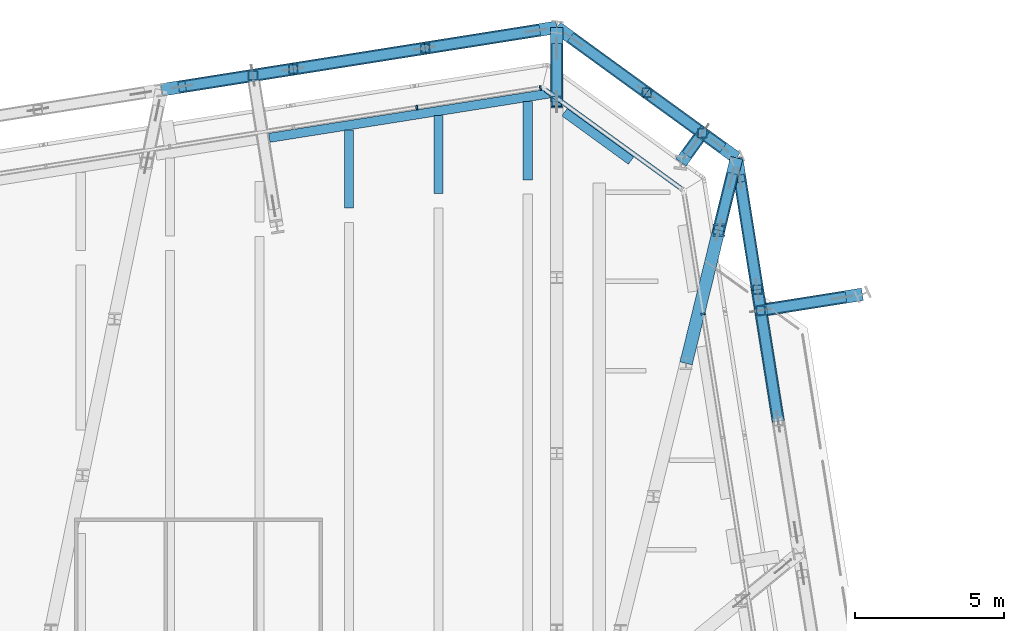
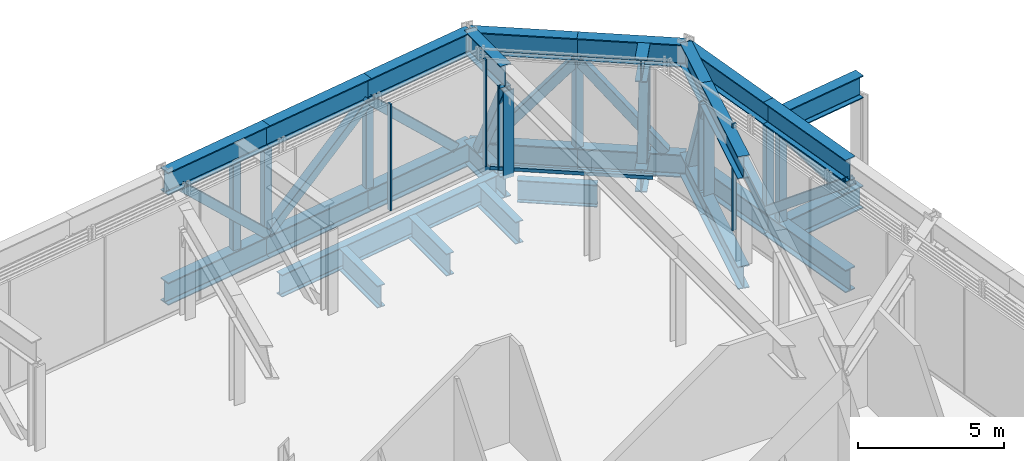
# One storey, part 19 of 35: 29 beams, 24 members, 3 elements without a shape of their own.
"""IFC4 building model written with IfcOpenShell, lengths in metres."""

from ifc_helpers import new_model, si_unit, direction, frame, origin, origin_2d, place, context, subcontext, project, spatial, rectangle, hollow_rectangle, i_section, extrude, material, layer, layer_set, material_profile, profile_set, type_object, element, aggregate, save


model = new_model("IFC4")

# Units and contexts
model_context = context("Model", 3, precision=1e-05, world=origin(), true_north=direction((0.0, 1.0)))
body_context = subcontext(model_context, "Body", "Model", "MODEL_VIEW")
ifc_project = project(units=[si_unit("LENGTHUNIT", "METRE"), si_unit("AREAUNIT", "SQUARE_METRE"), si_unit("VOLUMEUNIT", "CUBIC_METRE"), si_unit("PLANEANGLEUNIT", "RADIAN"), si_unit("MASSUNIT", "GRAM", prefix="KILO")], contexts=[model_context])

# Site, building, storey
site_placement = place(None, origin())
site = spatial("IfcSite", under=ifc_project, at=site_placement, CompositionType="ELEMENT")
building_placement = place(site_placement, origin())
building = spatial("IfcBuilding", under=site, at=building_placement, Name="Millrace Tower", CompositionType="ELEMENT")
storey_placement = place(building_placement, frame((0.0, 0.0, 200.10009765625)))
storey = spatial("IfcBuildingStorey", under=building, at=storey_placement, Name="L45", CompositionType="ELEMENT", Elevation=200.10009765625)

# Curtain wall, member
ifc_material_1 = material(Name="Aluminium and glass", Category="aluminium")
ifc_layer = layer(ifc_material_1, 0.14990234375)
ifc_layer_set = layer_set([ifc_layer], Name="Aluminium and glass")
curtain_wall_type = type_object("IfcCurtainWallType", Name="CW-5 truss and plant storey louvred infill", PredefinedType="NOTDEFINED", material=ifc_layer_set)
placement = place(storey_placement, origin())
curtain_wall_1 = element("IfcCurtainWall", 1, at=placement, inside=storey, type_object=curtain_wall_type, Name="Curtain wall D-F04 L45", PredefinedType="NOTDEFINED")
ifc_material_2 = material(Name="Aluminium", Category="aluminium")
ifc_material_profile_1 = material_profile(ifc_material_2, rectangle(XDim=0.06494140625, YDim=0.14990234375, at=origin_2d()))
ifc_profile_set_1 = profile_set([ifc_material_profile_1], Name="Aluminium")
member_type_1 = type_object("IfcMemberType", Name="CW-5 truss and plant storey louvred infill mullion", PredefinedType="MULLION", material=ifc_profile_set_1)
member_1_placement = place(storey_placement, frame((17.88623046875, 22.910888671875, 0.139892578125), z_axis=(0.0, 0.0, 1.0), x_axis=(-0.156434471884, 0.987688339511, 0.0)))
member_1 = element("IfcMember", 2, at=member_1_placement, type_object=member_type_1, Name="CW5 mullion D-F04.9", PredefinedType="MULLION", context=body_context, shape_type="SweptSolid", body=[
    extrude(rectangle(XDim=0.06494140625, YDim=0.14990234375, at=origin_2d()), origin(), (0.0, 0.0, 1.0), 4.4599609375),
])
aggregate(curtain_wall_1, [member_1])

# Curtain wall, members
curtain_wall_2 = element("IfcCurtainWall", 3, at=placement, inside=storey, type_object=curtain_wall_type, Name="Curtain wall D-F06 L45", PredefinedType="NOTDEFINED")
member_2_placement = place(storey_placement, frame((12.425537109375, 30.492431640625, 0.139892578125), z_axis=(0.0, 0.0, 1.0), x_axis=(-0.987688339511, -0.156434471884, 0.0)))
member_2 = element("IfcMember", 4, at=member_2_placement, type_object=member_type_1, Name="CW5 mullion D-F06.1", PredefinedType="MULLION", context=body_context, shape_type="SweptSolid", body=[
    extrude(rectangle(XDim=0.06494140625, YDim=0.14990234375, at=origin_2d()), origin(), (0.0, 0.0, 1.0), 4.4599609375),
])
member_3_placement = place(storey_placement, frame((8.277099609375, 29.83544921875, 0.139892578125), z_axis=(0.0, 0.0, 1.0), x_axis=(-0.987688339511, -0.156434471884, 0.0)))
member_3 = element("IfcMember", 5, at=member_3_placement, type_object=member_type_1, Name="CW5 mullion D-F06.2", PredefinedType="MULLION", context=body_context, shape_type="SweptSolid", body=[
    extrude(rectangle(XDim=0.06494140625, YDim=0.14990234375, at=origin_2d()), origin(), (0.0, 0.0, 1.0), 4.4599609375),
])
aggregate(curtain_wall_2, [member_2, member_3])

# Curtain wall, member
curtain_wall_3 = element("IfcCurtainWall", 6, at=placement, inside=storey, type_object=curtain_wall_type, Name="Curtain wall D-F05 L45", PredefinedType="NOTDEFINED")
ifc_material_3 = material(Name="Aluminium", Category="aluminium")
ifc_material_profile_2 = material_profile(ifc_material_3, rectangle(XDim=0.14990234375, YDim=0.139892578125, at=origin_2d()))
ifc_profile_set_2 = profile_set([ifc_material_profile_2], Name="Aluminium")
member_type_2 = type_object("IfcMemberType", Name="CW-5 truss and plant storey louvred infill transom", PredefinedType="USERDEFINED", material=ifc_profile_set_2)
member_4_placement = place(storey_placement, frame((17.123291015625, 27.134765625, 0.06982421875), z_axis=(-0.809018869857, 0.587782670904, 0.0), x_axis=(-0.587782670904, -0.809018869857, 0.0)))
member_4 = element("IfcMember", 7, at=member_4_placement, type_object=member_type_2, Name="CW5 transom D-F05.1", ObjectType="TRANSOM", PredefinedType="USERDEFINED", context=body_context, shape_type="SweptSolid", body=[
    extrude(rectangle(XDim=0.14990234375, YDim=0.139892578125, at=origin_2d()), origin(), (0.0, 0.0, 1.0), 5.59814453125),
])
aggregate(curtain_wall_3, [member_4])

# Beams
ifc_material_4 = material(Name="Steel ASTM A992 Grade 50", Category="steel")
ifc_material_profile_3 = material_profile(ifc_material_4, i_section(OverallWidth=0.307373046875, OverallDepth=0.927001953125, WebThickness=0.01953125, FlangeThickness=0.031982421875, FilletRadius=0.01904296875, at=origin_2d()))
ifc_profile_set_3 = profile_set([ifc_material_profile_3], Name="Steel ASTM A992 Grade 50")
beam_type_1 = type_object("IfcBeamType", Name="Floor beam W36x194", PredefinedType="JOIST", material=ifc_profile_set_3)
beam_1_placement = place(storey_placement, frame((9.0, 26.94677734375, -0.62353515625), z_axis=(0.0, 1.0, 0.0), x_axis=(-1.0, 0.0, 0.0)))
element("IfcBeam", 8, at=beam_1_placement, inside=storey, type_object=beam_type_1, Name="BM-D-L45-S1-S050-b", PredefinedType="JOIST", context=body_context, shape_type="SweptSolid", body=[
    extrude(i_section(OverallWidth=0.307373046875, OverallDepth=0.927001953125, WebThickness=0.01953125, FlangeThickness=0.031982421875, FilletRadius=0.01904296875, at=origin_2d()), origin(), (0.0, 0.0, 1.0), 2.615966796875),
])
beam_2_placement = place(storey_placement, frame((12.0, 27.406005859375, -0.62353515625), z_axis=(0.0, 1.0, 0.0), x_axis=(-1.0, 0.0, 0.0)))
element("IfcBeam", 9, at=beam_2_placement, inside=storey, type_object=beam_type_1, Name="BM-D-L45-S1-S052-b", PredefinedType="JOIST", context=body_context, shape_type="SweptSolid", body=[
    extrude(i_section(OverallWidth=0.307373046875, OverallDepth=0.927001953125, WebThickness=0.01953125, FlangeThickness=0.031982421875, FilletRadius=0.01904296875, at=origin_2d()), origin(), (0.0, 0.0, 1.0), 2.6318359375),
])
beam_3_placement = place(storey_placement, frame((6.0, 26.4716796875, -0.62353515625), z_axis=(0.0, 1.0, 0.0), x_axis=(-1.0, 0.0, 0.0)))
element("IfcBeam", 10, at=beam_3_placement, inside=storey, type_object=beam_type_1, Name="BM-D-L45-S1-S048-b", PredefinedType="JOIST", context=body_context, shape_type="SweptSolid", body=[
    extrude(i_section(OverallWidth=0.307373046875, OverallDepth=0.927001953125, WebThickness=0.01953125, FlangeThickness=0.031982421875, FilletRadius=0.01904296875, at=origin_2d()), origin(), (0.0, 0.0, 1.0), 2.615966796875),
])
ifc_material_5 = material(Name="Steel ASTM A992 Grade 50", Category="steel")
ifc_material_profile_4 = material_profile(ifc_material_5, i_section(OverallWidth=0.307373046875, OverallDepth=0.927001953125, WebThickness=0.01953125, FlangeThickness=0.031982421875, FilletRadius=0.01904296875, at=origin_2d()))
ifc_profile_set_4 = profile_set([ifc_material_profile_4], Name="Steel ASTM A992 Grade 50")
beam_type_2 = type_object("IfcBeamType", Name="Ring beam short span W36x194", PredefinedType="SPANDREL", material=ifc_profile_set_4)
beam_4_placement = place(storey_placement, frame((3.32666015625, 28.81982421875, -0.62353515625), z_axis=(0.987689704483, 0.156425853548, 0.0), x_axis=(-0.156425853548, 0.987689704483, 0.0)))
element("IfcBeam", 11, at=beam_4_placement, inside=storey, type_object=beam_type_2, Name="RNG-D-L45-S1-07-b", PredefinedType="SPANDREL", context=body_context, shape_type="SweptSolid", body=[
    extrude(i_section(OverallWidth=0.307373046875, OverallDepth=0.927001953125, WebThickness=0.01953125, FlangeThickness=0.031982421875, FilletRadius=0.01904296875, at=origin_2d()), origin(), (0.0, 0.0, 1.0), 9.525146484375),
])
beam_5_placement = place(storey_placement, frame((13.232177734375, 29.679443359375, -0.62353515625), z_axis=(0.808999786212, -0.587808936567, 0.0), x_axis=(0.587808936567, 0.808999786212, 0.0)))
element("IfcBeam", 12, at=beam_5_placement, inside=storey, type_object=beam_type_2, Name="RNG-D-L45-S1-08", PredefinedType="SPANDREL", context=body_context, shape_type="SweptSolid", body=[
    extrude(i_section(OverallWidth=0.307373046875, OverallDepth=0.927001953125, WebThickness=0.01953125, FlangeThickness=0.031982421875, FilletRadius=0.01904296875, at=origin_2d()), origin(), (0.0, 0.0, 1.0), 2.761474609375),
])

# Members
ifc_material_6 = material(Name="Steel ASTM A992 Grade 50", Category="steel")
ifc_material_profile_5 = material_profile(ifc_material_6, i_section(OverallWidth=0.40380859375, OverallDepth=0.406494140625, WebThickness=0.027099609375, FlangeThickness=0.043701171875, FilletRadius=0.01513671875, at=origin_2d()))
ifc_profile_set_5 = profile_set([ifc_material_profile_5], Name="Steel ASTM A992 Grade 50")
member_type_3 = type_object("IfcMemberType", Name="Transfer truss Vierendeel moment post W14x233", PredefinedType="POST", material=ifc_profile_set_5)
for number, where, z_axis, x_axis, name in (
    (13, (18.409423828125, 25.718505859375, -0.16015625), (0.0, 0.0, 1.0), (1.0, 0.0, 0.0), "TRS-L45-C09-V01"),
    (14, (12.974609375, 30.0283203125, -0.16015625), (0.0, 0.0, 1.0), (1.0, 0.0, 0.0), "TRS-L45-C10-V01"),
):
    element("IfcMember", number, at=place(storey_placement, frame(where, z_axis=z_axis, x_axis=x_axis)), inside=storey, type_object=member_type_3, Name=name, PredefinedType="POST", context=body_context, shape_type="SweptSolid", body=[
        extrude(i_section(OverallWidth=0.40380859375, OverallDepth=0.406494140625, WebThickness=0.027099609375, FlangeThickness=0.043701171875, FilletRadius=0.01513671875, at=origin_2d()), origin(), (0.0, 0.0, 1.0), 3.652587890625),
    ])

# Beams
ifc_material_7 = material(Name="Steel ASTM A992 Grade 50", Category="steel")
ifc_material_profile_6 = material_profile(ifc_material_7, i_section(OverallWidth=0.424072265625, OverallDepth=0.947509765625, WebThickness=0.02392578125, FlangeThickness=0.042724609375, FilletRadius=0.024169921875, at=origin_2d()))
ifc_profile_set_6 = profile_set([ifc_material_profile_6], Name="Steel ASTM A992 Grade 50")
beam_type_3 = type_object("IfcBeamType", Name="Transfer truss chord W36x302", PredefinedType="BEAM", material=ifc_profile_set_6)
for number, where, z_axis, x_axis, name in (
    (15, (20.406494140625, 19.304443359375, -0.6337890625), (-0.156433111103, 0.987688555037, 0.0), (-0.987688555037, -0.156433111103, 0.0), "TRS-L45-R08-B02"),
    (16, (20.406494140625, 19.304443359375, 3.96630859375), (-0.156433111103, 0.987688555037, 0.0), (-0.987688555037, -0.156433111103, 0.0), "TRS-L45-R08-T02"),
):
    element("IfcBeam", number, at=place(storey_placement, frame(where, z_axis=z_axis, x_axis=x_axis)), inside=storey, type_object=beam_type_3, Name=name, PredefinedType="BEAM", context=body_context, shape_type="SweptSolid", body=[
        extrude(i_section(OverallWidth=0.424072265625, OverallDepth=0.947509765625, WebThickness=0.02392578125, FlangeThickness=0.042724609375, FilletRadius=0.024169921875, at=origin_2d()), origin(), (0.0, 0.0, 1.0), 4.47607421875),
    ])
for number, where, z_axis, x_axis, name in (
    (17, (19.706298828125, 23.725341796875, -0.6337890625), (-0.156424684061, 0.9876898897, 0.0), (-0.9876898897, -0.156424684061, 0.0), "TRS-L45-R08-B03"),
    (18, (19.706298828125, 23.725341796875, 3.96630859375), (-0.156424684061, 0.9876898897, 0.0), (-0.9876898897, -0.156424684061, 0.0), "TRS-L45-R08-T03"),
):
    element("IfcBeam", number, at=place(storey_placement, frame(where, z_axis=z_axis, x_axis=x_axis)), inside=storey, type_object=beam_type_3, Name=name, PredefinedType="BEAM", context=body_context, shape_type="SweptSolid", body=[
        extrude(i_section(OverallWidth=0.424072265625, OverallDepth=0.947509765625, WebThickness=0.02392578125, FlangeThickness=0.042724609375, FilletRadius=0.024169921875, at=origin_2d()), origin(), (0.0, 0.0, 1.0), 4.476318359375),
    ])
for number, where, z_axis, x_axis, name in (
    (19, (19.006103515625, 28.146484375, -0.6337890625), (-0.809047509932, 0.587743248938, 0.0), (-0.587743248938, -0.809047509932, 0.0), "TRS-L45-R09-B01"),
    (20, (19.006103515625, 28.146484375, 3.96630859375), (-0.809047509932, 0.587743248938, 0.0), (-0.587743248938, -0.809047509932, 0.0), "TRS-L45-R09-T01"),
):
    element("IfcBeam", number, at=place(storey_placement, frame(where, z_axis=z_axis, x_axis=x_axis)), inside=storey, type_object=beam_type_3, Name=name, PredefinedType="BEAM", context=body_context, shape_type="SweptSolid", body=[
        extrude(i_section(OverallWidth=0.424072265625, OverallDepth=0.947509765625, WebThickness=0.02392578125, FlangeThickness=0.042724609375, FilletRadius=0.024169921875, at=origin_2d()), origin(), (0.0, 0.0, 1.0), 3.727783203125),
    ])
for number, where, z_axis, x_axis, name in (
    (21, (15.990234375, 30.33740234375, -0.6337890625), (-0.809024883744, 0.587774393355, 0.0), (-0.587774393355, -0.809024883744, 0.0), "TRS-L45-R09-B02"),
    (22, (15.990234375, 30.33740234375, 3.96630859375), (-0.809024883744, 0.587774393355, 0.0), (-0.587774393355, -0.809024883744, 0.0), "TRS-L45-R09-T02"),
):
    element("IfcBeam", number, at=place(storey_placement, frame(where, z_axis=z_axis, x_axis=x_axis)), inside=storey, type_object=beam_type_3, Name=name, PredefinedType="BEAM", context=body_context, shape_type="SweptSolid", body=[
        extrude(i_section(OverallWidth=0.424072265625, OverallDepth=0.947509765625, WebThickness=0.02392578125, FlangeThickness=0.042724609375, FilletRadius=0.024169921875, at=origin_2d()), origin(), (0.0, 0.0, 1.0), 3.7275390625),
    ])
for number, where, z_axis, x_axis, name in (
    (23, (12.974609375, 32.5283203125, -0.6337890625), (-0.987688555037, -0.156433111103, 0.0), (0.156433111103, -0.987688555037, 0.0), "TRS-L45-R10-B01"),
    (24, (12.974609375, 32.5283203125, 3.96630859375), (-0.987688555037, -0.156433111103, 0.0), (0.156433111103, -0.987688555037, 0.0), "TRS-L45-R10-T01"),
):
    element("IfcBeam", number, at=place(storey_placement, frame(where, z_axis=z_axis, x_axis=x_axis)), inside=storey, type_object=beam_type_3, Name=name, PredefinedType="BEAM", context=body_context, shape_type="SweptSolid", body=[
        extrude(i_section(OverallWidth=0.424072265625, OverallDepth=0.947509765625, WebThickness=0.02392578125, FlangeThickness=0.042724609375, FilletRadius=0.024169921875, at=origin_2d()), origin(), (0.0, 0.0, 1.0), 4.47607421875),
    ])
for number, where, z_axis, x_axis, name in (
    (25, (8.5537109375, 31.828125, -0.6337890625), (-0.9876898897, -0.156424684061, 0.0), (0.156424684061, -0.9876898897, 0.0), "TRS-L45-R10-B02"),
    (26, (8.5537109375, 31.828125, 3.96630859375), (-0.9876898897, -0.156424684061, 0.0), (0.156424684061, -0.9876898897, 0.0), "TRS-L45-R10-T02"),
):
    element("IfcBeam", number, at=place(storey_placement, frame(where, z_axis=z_axis, x_axis=x_axis)), inside=storey, type_object=beam_type_3, Name=name, PredefinedType="BEAM", context=body_context, shape_type="SweptSolid", body=[
        extrude(i_section(OverallWidth=0.424072265625, OverallDepth=0.947509765625, WebThickness=0.02392578125, FlangeThickness=0.042724609375, FilletRadius=0.024169921875, at=origin_2d()), origin(), (0.0, 0.0, 1.0), 4.476318359375),
    ])
for number, where, z_axis, x_axis, name in (
    (27, (4.132568359375, 31.1279296875, -0.6337890625), (-0.987688555037, -0.156433111103, 0.0), (0.156433111103, -0.987688555037, 0.0), "TRS-L45-R10-B03"),
    (28, (4.132568359375, 31.1279296875, 3.96630859375), (-0.987688555037, -0.156433111103, 0.0), (0.156433111103, -0.987688555037, 0.0), "TRS-L45-R10-T03"),
):
    element("IfcBeam", number, at=place(storey_placement, frame(where, z_axis=z_axis, x_axis=x_axis)), inside=storey, type_object=beam_type_3, Name=name, PredefinedType="BEAM", context=body_context, shape_type="SweptSolid", body=[
        extrude(i_section(OverallWidth=0.424072265625, OverallDepth=0.947509765625, WebThickness=0.02392578125, FlangeThickness=0.042724609375, FilletRadius=0.024169921875, at=origin_2d()), origin(), (0.0, 0.0, 1.0), 4.47607421875),
    ])
for number, where, z_axis, x_axis, name in (
    (29, (19.006103515625, 28.146484375, -0.6337890625), (-0.238650753972, -0.971105461641, 0.0), (0.971105461641, -0.238650753972, 0.0), "TRS-L45-C09-B01"),
    (30, (19.006103515625, 28.146484375, 3.96630859375), (-0.238650753972, -0.971105461641, 0.0), (0.971105461641, -0.238650753972, 0.0), "TRS-L45-C09-T01"),
):
    element("IfcBeam", number, at=place(storey_placement, frame(where, z_axis=z_axis, x_axis=x_axis)), inside=storey, type_object=beam_type_3, Name=name, PredefinedType="BEAM", context=body_context, shape_type="SweptSolid", body=[
        extrude(i_section(OverallWidth=0.424072265625, OverallDepth=0.947509765625, WebThickness=0.02392578125, FlangeThickness=0.042724609375, FilletRadius=0.024169921875, at=origin_2d()), origin(), (0.0, 0.0, 1.0), 2.500244140625),
    ])
for number, where, z_axis, x_axis, name in (
    (31, (18.409423828125, 25.718505859375, -0.6337890625), (-0.238574790884, -0.971124126543, 0.0), (0.971124126543, -0.238574790884, 0.0), "TRS-L45-C09-B02"),
    (32, (18.409423828125, 25.718505859375, 3.96630859375), (-0.238574790884, -0.971124126543, 0.0), (0.971124126543, -0.238574790884, 0.0), "TRS-L45-C09-T02"),
):
    element("IfcBeam", number, at=place(storey_placement, frame(where, z_axis=z_axis, x_axis=x_axis)), inside=storey, type_object=beam_type_3, Name=name, PredefinedType="BEAM", context=body_context, shape_type="SweptSolid", body=[
        extrude(i_section(OverallWidth=0.424072265625, OverallDepth=0.947509765625, WebThickness=0.02392578125, FlangeThickness=0.042724609375, FilletRadius=0.024169921875, at=origin_2d()), origin(), (0.0, 0.0, 1.0), 4.599853515625),
    ])
for number, where, z_axis, x_axis, name in (
    (33, (12.974609375, 32.5283203125, -0.6337890625), (0.0, -1.0, 0.0), (1.0, 0.0, 0.0), "TRS-L45-C10-B01"),
    (34, (12.974609375, 32.5283203125, 3.96630859375), (0.0, -1.0, 0.0), (1.0, 0.0, 0.0), "TRS-L45-C10-T01"),
):
    element("IfcBeam", number, at=place(storey_placement, frame(where, z_axis=z_axis, x_axis=x_axis)), inside=storey, type_object=beam_type_3, Name=name, PredefinedType="BEAM", context=body_context, shape_type="SweptSolid", body=[
        extrude(i_section(OverallWidth=0.424072265625, OverallDepth=0.947509765625, WebThickness=0.02392578125, FlangeThickness=0.042724609375, FilletRadius=0.024169921875, at=origin_2d()), origin(), (0.0, 0.0, 1.0), 2.5),
    ])
for number, where, z_axis, x_axis, name in (
    (35, (23.2294921875, 23.569091796875, -0.6337890625), (-0.987690227507, -0.156422551083, 0.0), (0.156422551083, -0.987690227507, 0.0), "TRS-L45-B-C-X09-B01"),
    (36, (23.2294921875, 23.569091796875, 3.96630859375), (-0.987690227507, -0.156422551083, 0.0), (0.156422551083, -0.987690227507, 0.0), "TRS-L45-B-C-X09-T01"),
):
    element("IfcBeam", number, at=place(storey_placement, frame(where, z_axis=z_axis, x_axis=x_axis)), inside=storey, type_object=beam_type_3, Name=name, PredefinedType="BEAM", context=body_context, shape_type="SweptSolid", body=[
        extrude(i_section(OverallWidth=0.424072265625, OverallDepth=0.947509765625, WebThickness=0.02392578125, FlangeThickness=0.042724609375, FilletRadius=0.024169921875, at=origin_2d()), origin(), (0.0, 0.0, 1.0), 3.243408203125),
    ])
for number, where, z_axis, x_axis, name in (
    (37, (17.140869140625, 27.99267578125, -0.6337890625), (0.587768595281, 0.80902909614, 0.0), (-0.80902909614, 0.587768595281, 0.0), "TRS-L45-B-C-X10-B01"),
    (38, (17.140869140625, 27.99267578125, 3.96630859375), (0.587768595281, 0.80902909614, 0.0), (-0.80902909614, 0.587768595281, 0.0), "TRS-L45-B-C-X10-T01"),
):
    element("IfcBeam", number, at=place(storey_placement, frame(where, z_axis=z_axis, x_axis=x_axis)), inside=storey, type_object=beam_type_3, Name=name, PredefinedType="BEAM", context=body_context, shape_type="SweptSolid", body=[
        extrude(i_section(OverallWidth=0.424072265625, OverallDepth=0.947509765625, WebThickness=0.02392578125, FlangeThickness=0.042724609375, FilletRadius=0.024169921875, at=origin_2d()), origin(), (0.0, 0.0, 1.0), 1.008544921875),
    ])

# Members
ifc_material_8 = material(Name="Steel ASTM A500 Grade C", Category="steel")
ifc_material_profile_7 = material_profile(ifc_material_8, hollow_rectangle(XDim=0.355712890625, YDim=0.355712890625, WallThickness=0.015869140625, InnerFilletRadius=0.008056640625, OuterFilletRadius=0.02392578125, at=origin_2d()))
ifc_profile_set_7 = profile_set([ifc_material_profile_7], Name="Steel ASTM A500 Grade C")
member_type_4 = type_object("IfcMemberType", Name="Transfer truss diagonal HSS14x14x5/8", PredefinedType="BRACE", material=ifc_profile_set_7)
member_5_placement = place(storey_placement, frame((19.706298828125, 23.725341796875, -0.16015625), z_axis=(0.121199815738, -0.765232309408, 0.632242135026), x_axis=(0.987688555037, 0.156433111103, 0.0)))
element("IfcMember", 39, at=member_5_placement, inside=storey, type_object=member_type_4, Name="TRS-L45-R08-D02", PredefinedType="BRACE", context=body_context, shape_type="SweptSolid", body=[
    extrude(hollow_rectangle(XDim=0.355712890625, YDim=0.355712890625, WallThickness=0.015869140625, InnerFilletRadius=0.008056640625, OuterFilletRadius=0.02392578125, at=origin_2d()), origin(), (0.0, 0.0, 1.0), 5.777099609375),
])
member_6_placement = place(storey_placement, frame((19.706298828125, 23.725341796875, -0.16015625), z_axis=(-0.112457872298, 0.70992517153, 0.695240589858), x_axis=(-0.987684735163, -0.156457227145, 0.0)))
element("IfcMember", 40, at=member_6_placement, inside=storey, type_object=member_type_4, Name="TRS-L45-R08-D03", PredefinedType="BRACE", context=body_context, shape_type="SweptSolid", body=[
    extrude(hollow_rectangle(XDim=0.355712890625, YDim=0.355712890625, WallThickness=0.015869140625, InnerFilletRadius=0.008056640625, OuterFilletRadius=0.02392578125, at=origin_2d()), origin(), (0.0, 0.0, 1.0), 5.253662109375),
])
member_7_placement = place(storey_placement, frame((18.439697265625, 28.557861328125, -0.16015625), z_axis=(-0.516299961764, 0.375093234456, 0.76989571693), x_axis=(-0.587764078554, -0.809032377573, 0.0)))
element("IfcMember", 41, at=member_7_placement, inside=storey, type_object=member_type_4, Name="TRS-L45-R09-D01", PredefinedType="BRACE", context=body_context, shape_type="SweptSolid", body=[
    extrude(hollow_rectangle(XDim=0.355712890625, YDim=0.355712890625, WallThickness=0.015869140625, InnerFilletRadius=0.008056640625, OuterFilletRadius=0.02392578125, at=origin_2d()), origin(), (0.0, 0.0, 1.0), 4.744384765625),
])
member_8_placement = place(storey_placement, frame((13.541015625, 32.116943359375, -0.16015625), z_axis=(0.516262217598, -0.375103200167, 0.769916171999), x_axis=(0.58780242498, 0.809004517409, 0.0)))
element("IfcMember", 42, at=member_8_placement, inside=storey, type_object=member_type_4, Name="TRS-L45-R09-D02", PredefinedType="BRACE", context=body_context, shape_type="SweptSolid", body=[
    extrude(hollow_rectangle(XDim=0.355712890625, YDim=0.355712890625, WallThickness=0.015869140625, InnerFilletRadius=0.008056640625, OuterFilletRadius=0.02392578125, at=origin_2d()), origin(), (0.0, 0.0, 1.0), 4.744140625),
])
member_9_placement = place(storey_placement, frame((12.283203125, 32.4189453125, -0.16015625), z_axis=(-0.709902120882, -0.112461582386, 0.695263526481), x_axis=(0.156467218436, -0.98768315241, 0.0)))
element("IfcMember", 43, at=member_9_placement, inside=storey, type_object=member_type_4, Name="TRS-L45-R10-D01", PredefinedType="BRACE", context=body_context, shape_type="SweptSolid", body=[
    extrude(hollow_rectangle(XDim=0.355712890625, YDim=0.355712890625, WallThickness=0.015869140625, InnerFilletRadius=0.008056640625, OuterFilletRadius=0.02392578125, at=origin_2d()), origin(), (0.0, 0.0, 1.0), 5.25341796875),
])
member_10_placement = place(storey_placement, frame((4.132568359375, 31.1279296875, -0.16015625), z_axis=(0.765249821658, 0.121195896434, 0.632221689868), x_axis=(-0.156424684061, 0.9876898897, 0.0)))
element("IfcMember", 44, at=member_10_placement, inside=storey, type_object=member_type_4, Name="TRS-L45-R10-D02", PredefinedType="BRACE", context=body_context, shape_type="SweptSolid", body=[
    extrude(hollow_rectangle(XDim=0.355712890625, YDim=0.355712890625, WallThickness=0.015869140625, InnerFilletRadius=0.008056640625, OuterFilletRadius=0.02392578125, at=origin_2d()), origin(), (0.0, 0.0, 1.0), 5.77734375),
])
member_11_placement = place(storey_placement, frame((4.132568359375, 31.1279296875, -0.16015625), z_axis=(-0.709905830295, -0.112415698055, 0.695267159403), x_axis=(0.156404144508, -0.987693142419, 0.0)))
element("IfcMember", 45, at=member_11_placement, inside=storey, type_object=member_type_4, Name="TRS-L45-R10-D03", PredefinedType="BRACE", context=body_context, shape_type="SweptSolid", body=[
    extrude(hollow_rectangle(XDim=0.355712890625, YDim=0.355712890625, WallThickness=0.015869140625, InnerFilletRadius=0.008056640625, OuterFilletRadius=0.02392578125, at=origin_2d()), origin(), (0.0, 0.0, 1.0), 5.25341796875),
])
for number, where, z_axis, x_axis, name in (
    (46, (18.8388671875, 27.466552734375, -0.16015625), (-0.105461548534, -0.429280663731, 0.896992738838), (0.971123743553, -0.238576349848, 0.0), "TRS-L45-C09-D01"),
    (47, (12.974609375, 31.828369140625, -0.16015625), (0.0, -0.442050013477, 0.896990404399), (1.0, 0.0, 0.0), "TRS-L45-C10-D01"),
):
    element("IfcMember", number, at=place(storey_placement, frame(where, z_axis=z_axis, x_axis=x_axis)), inside=storey, type_object=member_type_4, Name=name, PredefinedType="BRACE", context=body_context, shape_type="SweptSolid", body=[
        extrude(hollow_rectangle(XDim=0.355712890625, YDim=0.355712890625, WallThickness=0.015869140625, InnerFilletRadius=0.008056640625, OuterFilletRadius=0.02392578125, at=origin_2d()), origin(), (0.0, 0.0, 1.0), 4.072021484375),
    ])
member_12_placement = place(storey_placement, frame((22.5380859375, 23.45947265625, -0.16015625), z_axis=(-0.594811410838, -0.094181586089, 0.798329013865), x_axis=(0.156390264253, -0.987695340298, 0.0)))
element("IfcMember", 48, at=member_12_placement, inside=storey, type_object=member_type_4, Name="TRS-L45-B-C-X09-D01", PredefinedType="BRACE", context=body_context, shape_type="SweptSolid", body=[
    extrude(hollow_rectangle(XDim=0.355712890625, YDim=0.355712890625, WallThickness=0.015869140625, InnerFilletRadius=0.008056640625, OuterFilletRadius=0.02392578125, at=origin_2d()), origin(), (0.0, 0.0, 1.0), 4.5751953125),
])
member_13_placement = place(storey_placement, frame((17.427978515625, 28.3876953125, -0.16015625), z_axis=(0.11554012299, 0.159056085363, 0.980485411257), x_axis=(-0.809067515006, 0.587715710324, 0.0)))
element("IfcMember", 49, at=member_13_placement, inside=storey, type_object=member_type_4, Name="TRS-L45-B-C-X10-D01", PredefinedType="BRACE", context=body_context, shape_type="SweptSolid", body=[
    extrude(hollow_rectangle(XDim=0.355712890625, YDim=0.355712890625, WallThickness=0.015869140625, InnerFilletRadius=0.008056640625, OuterFilletRadius=0.02392578125, at=origin_2d()), origin(), (0.0, 0.0, 1.0), 3.725341796875),
])
ifc_material_9 = material(Name="Steel ASTM A500 Grade C", Category="steel")
ifc_material_profile_8 = material_profile(ifc_material_9, hollow_rectangle(XDim=0.3046875, YDim=0.3046875, WallThickness=0.0126953125, InnerFilletRadius=0.00634765625, OuterFilletRadius=0.01904296875, at=origin_2d()))
ifc_profile_set_8 = profile_set([ifc_material_profile_8], Name="Steel ASTM A500 Grade C")
member_type_5 = type_object("IfcMemberType", Name="Transfer truss post HSS12x12x1/2", PredefinedType="POST", material=ifc_profile_set_8)
for number, where, z_axis, x_axis, name in (
    (50, (19.706298828125, 23.725341796875, -0.16015625), (0.0, 0.0, 1.0), (1.0, 0.0, 0.0), "TRS-L45-R08-V02"),
    (51, (15.990234375, 30.33740234375, -0.16015625), (0.0, 0.0, 1.0), (1.0, 0.0, 0.0), "TRS-L45-R09-V01"),
    (52, (8.5537109375, 31.828125, -0.16015625), (0.0, 0.0, 1.0), (1.0, 0.0, 0.0), "TRS-L45-R10-V01"),
    (53, (4.132568359375, 31.1279296875, -0.16015625), (0.0, 0.0, 1.0), (1.0, 0.0, 0.0), "TRS-L45-R10-V02"),
    (54, (19.816650390625, 23.028564453125, -0.16015625), (0.0, 0.0, 1.0), (1.0, 0.0, 0.0), "TRS-L45-B-C-X09-V01"),
    (55, (17.8583984375, 28.980224609375, -0.16015625), (0.0, 0.0, 1.0), (1.0, 0.0, 0.0), "TRS-L45-B-C-X10-V01"),
    (56, (2.77880859375, 30.91357421875, -0.16015625), (0.0, 0.0, 1.0), (1.0, 0.0, 0.0), "TRS-L45-B-C-X11-V01"),
):
    element("IfcMember", number, at=place(storey_placement, frame(where, z_axis=z_axis, x_axis=x_axis)), inside=storey, type_object=member_type_5, Name=name, PredefinedType="POST", context=body_context, shape_type="SweptSolid", body=[
        extrude(hollow_rectangle(XDim=0.3046875, YDim=0.3046875, WallThickness=0.0126953125, InnerFilletRadius=0.00634765625, OuterFilletRadius=0.01904296875, at=origin_2d()), origin(), (0.0, 0.0, 1.0), 3.652587890625),
    ])

save(model, "model.ifc")
